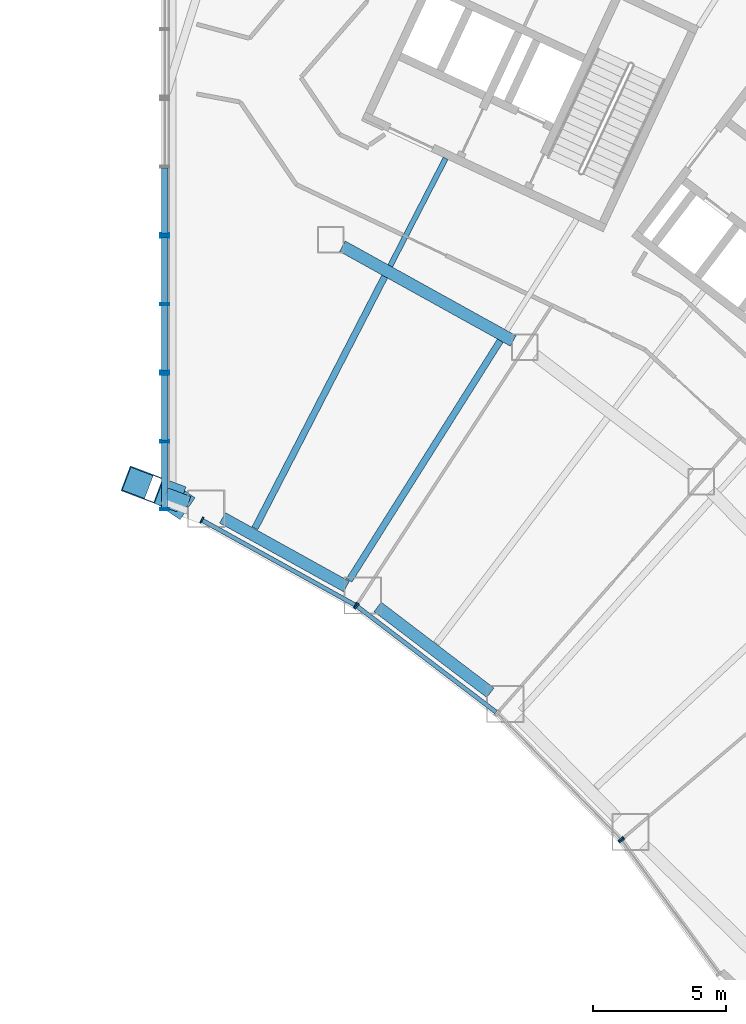
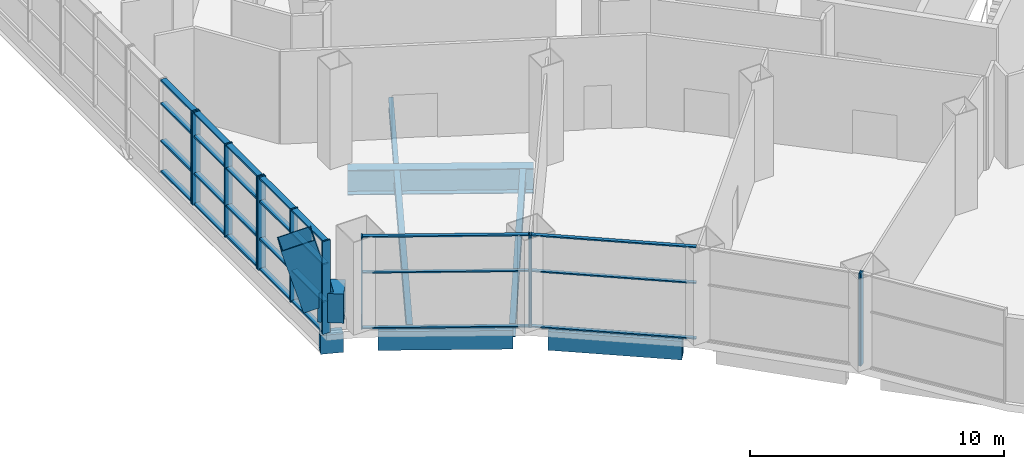
# One storey, part 10 of 26: 38 members, 9 beams, 7 elements without a shape of their own.
"""IFC4 building model written with IfcOpenShell, lengths in metres."""

from ifc_helpers import new_model, si_unit, direction, frame, origin, origin_2d, place, context, subcontext, project, spatial, rectangle, hollow_rectangle, i_section, extrude, material, layer, layer_set, material_profile, profile_set, type_object, element, aggregate, save


model = new_model("IFC4")

# Units and contexts
model_context = context("Model", 3, precision=1e-05, world=origin(), true_north=direction((0.0, 1.0)))
body_context = subcontext(model_context, "Body", "Model", "MODEL_VIEW")
ifc_project = project(units=[si_unit("LENGTHUNIT", "METRE"), si_unit("AREAUNIT", "SQUARE_METRE"), si_unit("VOLUMEUNIT", "CUBIC_METRE"), si_unit("PLANEANGLEUNIT", "RADIAN"), si_unit("MASSUNIT", "GRAM", prefix="KILO")], contexts=[model_context])

# Site, building, storey
site_placement = place(None, origin())
site = spatial("IfcSite", under=ifc_project, at=site_placement, CompositionType="ELEMENT")
building_placement = place(site_placement, origin())
building = spatial("IfcBuilding", under=site, at=building_placement, Name="Tuul Gate Civic Tower", CompositionType="ELEMENT")
storey_placement = place(building_placement, frame((0.0, 0.0, 7.5)))
storey = spatial("IfcBuildingStorey", under=building, at=storey_placement, Name="Level 01", CompositionType="ELEMENT", Elevation=7.5)

# Curtain wall, members
ifc_material_1 = material(Name="Stainless steel", Category="steel")
ifc_layer_1 = layer(ifc_material_1, 0.199951171875)
ifc_layer_set_1 = layer_set([ifc_layer_1], Name="Stainless steel")
curtain_wall_type_1 = type_object("IfcCurtainWallType", Name="Curtain wall CW2", PredefinedType="NOTDEFINED", material=ifc_layer_set_1)
curtain_wall_1_placement = place(storey_placement, origin())
curtain_wall_1 = element("IfcCurtainWall", 1, at=curtain_wall_1_placement, inside=storey, type_object=curtain_wall_type_1, Name="Curtain wall CW2", PredefinedType="NOTDEFINED")
ifc_material_2 = material(Name="Stainless steel", Category="steel")
ifc_material_profile_1 = material_profile(ifc_material_2, hollow_rectangle(XDim=0.35009765625, YDim=0.080078125, WallThickness=0.006103515625, at=origin_2d()), Name="CW2 mullion")
ifc_profile_set_1 = profile_set([ifc_material_profile_1], Name="Stainless steel")
member_type_1 = type_object("IfcMemberType", Name="CW2 mullion", PredefinedType="MULLION", material=ifc_profile_set_1)
member_1_placement = place(storey_placement, frame((18.0, -17.7958984375, 0.0), z_axis=(0.0, 0.0, 1.0), x_axis=(-1.0, 0.0, 0.0)))
member_1 = element("IfcMember", 2, at=member_1_placement, type_object=member_type_1, Name="Mullion", PredefinedType="MULLION", context=body_context, shape_type="SweptSolid", body=[
    extrude(hollow_rectangle(XDim=0.35009765625, YDim=0.080078125, WallThickness=0.006103515625, at=origin_2d()), origin(), (0.0, 0.0, 1.0), 4.449951171875),
])
member_2_placement = place(storey_placement, frame((18.0, -15.25732421875, 0.0), z_axis=(0.0, 0.0, 1.0), x_axis=(-1.0, 0.0, 0.0)))
member_2 = element("IfcMember", 3, at=member_2_placement, type_object=member_type_1, Name="Mullion", PredefinedType="MULLION", context=body_context, shape_type="SweptSolid", body=[
    extrude(hollow_rectangle(XDim=0.35009765625, YDim=0.080078125, WallThickness=0.006103515625, at=origin_2d()), origin(), (0.0, 0.0, 1.0), 4.449951171875),
])
member_3_placement = place(storey_placement, frame((18.0, -12.71875, 0.0), z_axis=(0.0, 0.0, 1.0), x_axis=(-1.0, 0.0, 0.0)))
member_3 = element("IfcMember", 4, at=member_3_placement, type_object=member_type_1, Name="Mullion", PredefinedType="MULLION", context=body_context, shape_type="SweptSolid", body=[
    extrude(hollow_rectangle(XDim=0.35009765625, YDim=0.080078125, WallThickness=0.006103515625, at=origin_2d()), origin(), (0.0, 0.0, 1.0), 4.449951171875),
])

curtain_wall_2_placement = place(storey_placement, origin())
curtain_wall_2 = element("IfcCurtainWall", 5, at=curtain_wall_2_placement, inside=storey, type_object=curtain_wall_type_1, Name="Curtain wall CW2", PredefinedType="NOTDEFINED")
member_4_placement = place(storey_placement, frame((18.0, -12.638671875, 0.0), z_axis=(0.0, 0.0, 1.0), x_axis=(-1.0, 0.0, 0.0)))
member_4 = element("IfcMember", 6, at=member_4_placement, type_object=member_type_1, Name="Mullion", PredefinedType="MULLION", context=body_context, shape_type="SweptSolid", body=[
    extrude(hollow_rectangle(XDim=0.35009765625, YDim=0.080078125, WallThickness=0.006103515625, at=origin_2d()), origin(), (0.0, 0.0, 1.0), 4.449951171875),
])
member_5_placement = place(storey_placement, frame((18.0, -10.10009765625, 0.0), z_axis=(0.0, 0.0, 1.0), x_axis=(-1.0, 0.0, 0.0)))
member_5 = element("IfcMember", 7, at=member_5_placement, type_object=member_type_1, Name="Mullion", PredefinedType="MULLION", context=body_context, shape_type="SweptSolid", body=[
    extrude(hollow_rectangle(XDim=0.35009765625, YDim=0.080078125, WallThickness=0.006103515625, at=origin_2d()), origin(), (0.0, 0.0, 1.0), 4.449951171875),
])
member_6_placement = place(storey_placement, frame((18.0, -7.5615234375, 0.0), z_axis=(0.0, 0.0, 1.0), x_axis=(-1.0, 0.0, 0.0)))
member_6 = element("IfcMember", 8, at=member_6_placement, type_object=member_type_1, Name="Mullion", PredefinedType="MULLION", context=body_context, shape_type="SweptSolid", body=[
    extrude(hollow_rectangle(XDim=0.35009765625, YDim=0.080078125, WallThickness=0.006103515625, at=origin_2d()), origin(), (0.0, 0.0, 1.0), 4.449951171875),
])

# Curtain wall, member
curtain_wall_3_placement = place(storey_placement, origin())
curtain_wall_3 = element("IfcCurtainWall", 9, at=curtain_wall_3_placement, inside=storey, type_object=curtain_wall_type_1, Name="Curtain wall CW2", PredefinedType="NOTDEFINED")
member_7_placement = place(storey_placement, frame((18.0, -7.4814453125, 0.0), z_axis=(0.0, 0.0, 1.0), x_axis=(-1.0, 0.0, 0.0)))
member_7 = element("IfcMember", 10, at=member_7_placement, type_object=member_type_1, Name="Mullion", PredefinedType="MULLION", context=body_context, shape_type="SweptSolid", body=[
    extrude(hollow_rectangle(XDim=0.35009765625, YDim=0.080078125, WallThickness=0.006103515625, at=origin_2d()), origin(), (0.0, 0.0, 1.0), 4.449951171875),
])

# Member
ifc_material_3 = material(Name="Stainless steel", Category="steel")
ifc_material_profile_2 = material_profile(ifc_material_3, hollow_rectangle(XDim=0.25, YDim=0.080078125, WallThickness=0.006103515625, at=origin_2d()), Name="CW2 transom")
ifc_profile_set_2 = profile_set([ifc_material_profile_2], Name="Stainless steel")
member_type_2 = type_object("IfcMemberType", Name="CW2 transom", PredefinedType="USERDEFINED", material=ifc_profile_set_2)
member_8_placement = place(storey_placement, frame((18.0, -17.756103515625, 0.0400390625), z_axis=(0.0, 1.0, 0.0), x_axis=(-1.0, 0.0, 0.0)))
member_8 = element("IfcMember", 11, at=member_8_placement, type_object=member_type_2, Name="Transom", ObjectType="TRANSOM", PredefinedType="USERDEFINED", context=body_context, shape_type="SweptSolid", body=[
    extrude(hollow_rectangle(XDim=0.25, YDim=0.080078125, WallThickness=0.006103515625, at=origin_2d()), origin(), (0.0, 0.0, 1.0), 2.458740234375),
])

member_9_placement = place(storey_placement, frame((18.0, -17.756103515625, 1.5), z_axis=(0.0, 1.0, 0.0), x_axis=(-1.0, 0.0, 0.0)))
member_9 = element("IfcMember", 12, at=member_9_placement, type_object=member_type_2, Name="Transom", ObjectType="TRANSOM", PredefinedType="USERDEFINED", context=body_context, shape_type="SweptSolid", body=[
    extrude(hollow_rectangle(XDim=0.25, YDim=0.080078125, WallThickness=0.006103515625, at=origin_2d()), origin(), (0.0, 0.0, 1.0), 2.458740234375),
])

member_10_placement = place(storey_placement, frame((18.0, -17.756103515625, 3.300048828125), z_axis=(0.0, 1.0, 0.0), x_axis=(-1.0, 0.0, 0.0)))
member_10 = element("IfcMember", 13, at=member_10_placement, type_object=member_type_2, Name="Transom", ObjectType="TRANSOM", PredefinedType="USERDEFINED", context=body_context, shape_type="SweptSolid", body=[
    extrude(hollow_rectangle(XDim=0.25, YDim=0.080078125, WallThickness=0.006103515625, at=origin_2d()), origin(), (0.0, 0.0, 1.0), 2.458740234375),
])

member_11_placement = place(storey_placement, frame((18.0, -17.756103515625, 4.409912109375), z_axis=(0.0, 1.0, 0.0), x_axis=(-1.0, 0.0, 0.0)))
member_11 = element("IfcMember", 14, at=member_11_placement, type_object=member_type_2, Name="Transom", ObjectType="TRANSOM", PredefinedType="USERDEFINED", context=body_context, shape_type="SweptSolid", body=[
    extrude(hollow_rectangle(XDim=0.25, YDim=0.080078125, WallThickness=0.006103515625, at=origin_2d()), origin(), (0.0, 0.0, 1.0), 2.458740234375),
])

member_12_placement = place(storey_placement, frame((18.0, -15.21728515625, 0.0400390625), z_axis=(0.0, 1.0, 0.0), x_axis=(-1.0, 0.0, 0.0)))
member_12 = element("IfcMember", 15, at=member_12_placement, type_object=member_type_2, Name="Transom", ObjectType="TRANSOM", PredefinedType="USERDEFINED", context=body_context, shape_type="SweptSolid", body=[
    extrude(hollow_rectangle(XDim=0.25, YDim=0.080078125, WallThickness=0.006103515625, at=origin_2d()), origin(), (0.0, 0.0, 1.0), 2.45849609375),
])

member_13_placement = place(storey_placement, frame((18.0, -15.21728515625, 1.5), z_axis=(0.0, 1.0, 0.0), x_axis=(-1.0, 0.0, 0.0)))
member_13 = element("IfcMember", 16, at=member_13_placement, type_object=member_type_2, Name="Transom", ObjectType="TRANSOM", PredefinedType="USERDEFINED", context=body_context, shape_type="SweptSolid", body=[
    extrude(hollow_rectangle(XDim=0.25, YDim=0.080078125, WallThickness=0.006103515625, at=origin_2d()), origin(), (0.0, 0.0, 1.0), 2.45849609375),
])

member_14_placement = place(storey_placement, frame((18.0, -15.21728515625, 3.300048828125), z_axis=(0.0, 1.0, 0.0), x_axis=(-1.0, 0.0, 0.0)))
member_14 = element("IfcMember", 17, at=member_14_placement, type_object=member_type_2, Name="Transom", ObjectType="TRANSOM", PredefinedType="USERDEFINED", context=body_context, shape_type="SweptSolid", body=[
    extrude(hollow_rectangle(XDim=0.25, YDim=0.080078125, WallThickness=0.006103515625, at=origin_2d()), origin(), (0.0, 0.0, 1.0), 2.45849609375),
])

member_15_placement = place(storey_placement, frame((18.0, -15.21728515625, 4.409912109375), z_axis=(0.0, 1.0, 0.0), x_axis=(-1.0, 0.0, 0.0)))
member_15 = element("IfcMember", 18, at=member_15_placement, type_object=member_type_2, Name="Transom", ObjectType="TRANSOM", PredefinedType="USERDEFINED", context=body_context, shape_type="SweptSolid", body=[
    extrude(hollow_rectangle(XDim=0.25, YDim=0.080078125, WallThickness=0.006103515625, at=origin_2d()), origin(), (0.0, 0.0, 1.0), 2.45849609375),
])

aggregate(curtain_wall_1, [member_1, member_2, member_3, member_8, member_9, member_10, member_11, member_12, member_13, member_14, member_15])

member_16_placement = place(storey_placement, frame((18.0, -12.5986328125, 0.0400390625), z_axis=(0.0, 1.0, 0.0), x_axis=(-1.0, 0.0, 0.0)))
member_16 = element("IfcMember", 19, at=member_16_placement, type_object=member_type_2, Name="Transom", ObjectType="TRANSOM", PredefinedType="USERDEFINED", context=body_context, shape_type="SweptSolid", body=[
    extrude(hollow_rectangle(XDim=0.25, YDim=0.080078125, WallThickness=0.006103515625, at=origin_2d()), origin(), (0.0, 0.0, 1.0), 2.45849609375),
])

member_17_placement = place(storey_placement, frame((18.0, -12.5986328125, 1.5), z_axis=(0.0, 1.0, 0.0), x_axis=(-1.0, 0.0, 0.0)))
member_17 = element("IfcMember", 20, at=member_17_placement, type_object=member_type_2, Name="Transom", ObjectType="TRANSOM", PredefinedType="USERDEFINED", context=body_context, shape_type="SweptSolid", body=[
    extrude(hollow_rectangle(XDim=0.25, YDim=0.080078125, WallThickness=0.006103515625, at=origin_2d()), origin(), (0.0, 0.0, 1.0), 2.45849609375),
])

member_18_placement = place(storey_placement, frame((18.0, -12.5986328125, 3.300048828125), z_axis=(0.0, 1.0, 0.0), x_axis=(-1.0, 0.0, 0.0)))
member_18 = element("IfcMember", 21, at=member_18_placement, type_object=member_type_2, Name="Transom", ObjectType="TRANSOM", PredefinedType="USERDEFINED", context=body_context, shape_type="SweptSolid", body=[
    extrude(hollow_rectangle(XDim=0.25, YDim=0.080078125, WallThickness=0.006103515625, at=origin_2d()), origin(), (0.0, 0.0, 1.0), 2.45849609375),
])

member_19_placement = place(storey_placement, frame((18.0, -12.5986328125, 4.409912109375), z_axis=(0.0, 1.0, 0.0), x_axis=(-1.0, 0.0, 0.0)))
member_19 = element("IfcMember", 22, at=member_19_placement, type_object=member_type_2, Name="Transom", ObjectType="TRANSOM", PredefinedType="USERDEFINED", context=body_context, shape_type="SweptSolid", body=[
    extrude(hollow_rectangle(XDim=0.25, YDim=0.080078125, WallThickness=0.006103515625, at=origin_2d()), origin(), (0.0, 0.0, 1.0), 2.45849609375),
])

member_20_placement = place(storey_placement, frame((18.0, -10.06005859375, 0.0400390625), z_axis=(0.0, 1.0, 0.0), x_axis=(-1.0, 0.0, 0.0)))
member_20 = element("IfcMember", 23, at=member_20_placement, type_object=member_type_2, Name="Transom", ObjectType="TRANSOM", PredefinedType="USERDEFINED", context=body_context, shape_type="SweptSolid", body=[
    extrude(hollow_rectangle(XDim=0.25, YDim=0.080078125, WallThickness=0.006103515625, at=origin_2d()), origin(), (0.0, 0.0, 1.0), 2.458740234375),
])

member_21_placement = place(storey_placement, frame((18.0, -10.06005859375, 1.5), z_axis=(0.0, 1.0, 0.0), x_axis=(-1.0, 0.0, 0.0)))
member_21 = element("IfcMember", 24, at=member_21_placement, type_object=member_type_2, Name="Transom", ObjectType="TRANSOM", PredefinedType="USERDEFINED", context=body_context, shape_type="SweptSolid", body=[
    extrude(hollow_rectangle(XDim=0.25, YDim=0.080078125, WallThickness=0.006103515625, at=origin_2d()), origin(), (0.0, 0.0, 1.0), 2.458740234375),
])

member_22_placement = place(storey_placement, frame((18.0, -10.06005859375, 3.300048828125), z_axis=(0.0, 1.0, 0.0), x_axis=(-1.0, 0.0, 0.0)))
member_22 = element("IfcMember", 25, at=member_22_placement, type_object=member_type_2, Name="Transom", ObjectType="TRANSOM", PredefinedType="USERDEFINED", context=body_context, shape_type="SweptSolid", body=[
    extrude(hollow_rectangle(XDim=0.25, YDim=0.080078125, WallThickness=0.006103515625, at=origin_2d()), origin(), (0.0, 0.0, 1.0), 2.458740234375),
])

member_23_placement = place(storey_placement, frame((18.0, -10.06005859375, 4.409912109375), z_axis=(0.0, 1.0, 0.0), x_axis=(-1.0, 0.0, 0.0)))
member_23 = element("IfcMember", 26, at=member_23_placement, type_object=member_type_2, Name="Transom", ObjectType="TRANSOM", PredefinedType="USERDEFINED", context=body_context, shape_type="SweptSolid", body=[
    extrude(hollow_rectangle(XDim=0.25, YDim=0.080078125, WallThickness=0.006103515625, at=origin_2d()), origin(), (0.0, 0.0, 1.0), 2.458740234375),
])

aggregate(curtain_wall_2, [member_4, member_5, member_6, member_16, member_17, member_18, member_19, member_20, member_21, member_22, member_23])

member_24_placement = place(storey_placement, frame((18.0, -7.44140625, 0.0400390625), z_axis=(0.0, 1.0, 0.0), x_axis=(-1.0, 0.0, 0.0)))
member_24 = element("IfcMember", 27, at=member_24_placement, type_object=member_type_2, Name="Transom", ObjectType="TRANSOM", PredefinedType="USERDEFINED", context=body_context, shape_type="SweptSolid", body=[
    extrude(hollow_rectangle(XDim=0.25, YDim=0.080078125, WallThickness=0.006103515625, at=origin_2d()), origin(), (0.0, 0.0, 1.0), 2.458740234375),
])

member_25_placement = place(storey_placement, frame((18.0, -7.44140625, 1.5), z_axis=(0.0, 1.0, 0.0), x_axis=(-1.0, 0.0, 0.0)))
member_25 = element("IfcMember", 28, at=member_25_placement, type_object=member_type_2, Name="Transom", ObjectType="TRANSOM", PredefinedType="USERDEFINED", context=body_context, shape_type="SweptSolid", body=[
    extrude(hollow_rectangle(XDim=0.25, YDim=0.080078125, WallThickness=0.006103515625, at=origin_2d()), origin(), (0.0, 0.0, 1.0), 2.458740234375),
])

member_26_placement = place(storey_placement, frame((18.0, -7.44140625, 3.300048828125), z_axis=(0.0, 1.0, 0.0), x_axis=(-1.0, 0.0, 0.0)))
member_26 = element("IfcMember", 29, at=member_26_placement, type_object=member_type_2, Name="Transom", ObjectType="TRANSOM", PredefinedType="USERDEFINED", context=body_context, shape_type="SweptSolid", body=[
    extrude(hollow_rectangle(XDim=0.25, YDim=0.080078125, WallThickness=0.006103515625, at=origin_2d()), origin(), (0.0, 0.0, 1.0), 2.458740234375),
])

member_27_placement = place(storey_placement, frame((18.0, -7.44140625, 4.409912109375), z_axis=(0.0, 1.0, 0.0), x_axis=(-1.0, 0.0, 0.0)))
member_27 = element("IfcMember", 30, at=member_27_placement, type_object=member_type_2, Name="Transom", ObjectType="TRANSOM", PredefinedType="USERDEFINED", context=body_context, shape_type="SweptSolid", body=[
    extrude(hollow_rectangle(XDim=0.25, YDim=0.080078125, WallThickness=0.006103515625, at=origin_2d()), origin(), (0.0, 0.0, 1.0), 2.458740234375),
])

aggregate(curtain_wall_3, [member_7, member_24, member_25, member_26, member_27])

# Curtain wall, members
ifc_material_4 = material(Name="Aluminium", Category="aluminium")
ifc_layer_2 = layer(ifc_material_4, 0.199951171875)
ifc_layer_set_2 = layer_set([ifc_layer_2], Name="Aluminium")
curtain_wall_type_2 = type_object("IfcCurtainWallType", Name="Curtain wall CW6", PredefinedType="NOTDEFINED", material=ifc_layer_set_2)
curtain_wall_4_placement = place(storey_placement, origin())
curtain_wall_4 = element("IfcCurtainWall", 31, at=curtain_wall_4_placement, inside=storey, type_object=curtain_wall_type_2, Name="Curtain wall CW6", PredefinedType="NOTDEFINED")
ifc_material_5 = material(Name="Aluminium", Category="aluminium")
ifc_material_profile_3 = material_profile(ifc_material_5, rectangle(XDim=0.239990234375, YDim=0.06005859375, at=origin_2d()), Name="CW6 mullion")
ifc_profile_set_3 = profile_set([ifc_material_profile_3], Name="Aluminium")
member_type_3 = type_object("IfcMemberType", Name="CW6 mullion", PredefinedType="MULLION", material=ifc_profile_set_3)
member_28_placement = place(storey_placement, frame((19.394287109375, -18.20751953125, 0.0), z_axis=(0.0, 0.0, 1.0), x_axis=(0.484724404523, 0.87466693756, 0.0)))
member_28 = element("IfcMember", 32, at=member_28_placement, type_object=member_type_3, Name="Mullion", PredefinedType="MULLION", context=body_context, shape_type="SweptSolid", body=[
    extrude(rectangle(XDim=0.239990234375, YDim=0.06005859375, at=origin_2d()), origin(), (0.0, 0.0, 1.0), 4.449951171875),
])
member_29_placement = place(storey_placement, frame((25.164794921875, -21.405517578125, 0.0), z_axis=(0.0, 0.0, 1.0), x_axis=(0.484724404523, 0.87466693756, 0.0)))
member_29 = element("IfcMember", 33, at=member_29_placement, type_object=member_type_3, Name="Mullion", PredefinedType="MULLION", context=body_context, shape_type="SweptSolid", body=[
    extrude(rectangle(XDim=0.239990234375, YDim=0.06005859375, at=origin_2d()), origin(), (0.0, 0.0, 1.0), 4.449951171875),
])

# Curtain wall, member
curtain_wall_5_placement = place(storey_placement, origin())
curtain_wall_5 = element("IfcCurtainWall", 34, at=curtain_wall_5_placement, inside=storey, type_object=curtain_wall_type_2, Name="Curtain wall CW6", PredefinedType="NOTDEFINED")
member_30_placement = place(storey_placement, frame((25.21484375, -21.438232421875, 0.0), z_axis=(0.0, 0.0, 1.0), x_axis=(0.605776174218, 0.795635109048, 0.0)))
member_30 = element("IfcMember", 35, at=member_30_placement, type_object=member_type_3, Name="Mullion", PredefinedType="MULLION", context=body_context, shape_type="SweptSolid", body=[
    extrude(rectangle(XDim=0.239990234375, YDim=0.06005859375, at=origin_2d()), origin(), (0.0, 0.0, 1.0), 4.449951171875),
])

curtain_wall_6_placement = place(storey_placement, origin())
curtain_wall_6 = element("IfcCurtainWall", 36, at=curtain_wall_6_placement, inside=storey, type_object=curtain_wall_type_2, Name="Curtain wall CW6", PredefinedType="NOTDEFINED")
member_31_placement = place(storey_placement, frame((35.126953125, -30.185546875, 0.0), z_axis=(0.0, 0.0, 1.0), x_axis=(0.714131733701, 0.700011333423, 0.0)))
member_31 = element("IfcMember", 37, at=member_31_placement, type_object=member_type_3, Name="Mullion", PredefinedType="MULLION", context=body_context, shape_type="SweptSolid", body=[
    extrude(rectangle(XDim=0.239990234375, YDim=0.06005859375, at=origin_2d()), origin(), (0.0, 0.0, 1.0), 4.449951171875),
])
aggregate(curtain_wall_6, [member_31])

curtain_wall_7_placement = place(storey_placement, origin())
curtain_wall_7 = element("IfcCurtainWall", 38, at=curtain_wall_7_placement, inside=storey, type_object=curtain_wall_type_2, Name="Curtain wall CW6", PredefinedType="NOTDEFINED")
member_32_placement = place(storey_placement, frame((35.165771484375, -30.231201171875, 0.0), z_axis=(0.0, 0.0, 1.0), x_axis=(0.807581267597, 0.589756302404, 0.0)))
member_32 = element("IfcMember", 39, at=member_32_placement, type_object=member_type_3, Name="Mullion", PredefinedType="MULLION", context=body_context, shape_type="SweptSolid", body=[
    extrude(rectangle(XDim=0.239990234375, YDim=0.06005859375, at=origin_2d()), origin(), (0.0, 0.0, 1.0), 4.449951171875),
])
aggregate(curtain_wall_7, [member_32])

# Member
ifc_material_6 = material(Name="Aluminium", Category="aluminium")
ifc_material_profile_4 = material_profile(ifc_material_6, rectangle(XDim=0.159912109375, YDim=0.06005859375, at=origin_2d()), Name="CW6 transom")
ifc_profile_set_4 = profile_set([ifc_material_profile_4], Name="Aluminium")
member_type_4 = type_object("IfcMemberType", Name="CW6 transom", PredefinedType="USERDEFINED", material=ifc_profile_set_4)
member_33_placement = place(storey_placement, frame((19.42041015625, -18.22216796875, 0.030029296875), z_axis=(0.874674687006, -0.484710420676, 0.0), x_axis=(0.484710420676, 0.874674687006, 0.0)))
member_33 = element("IfcMember", 40, at=member_33_placement, type_object=member_type_4, Name="Transom", ObjectType="TRANSOM", PredefinedType="USERDEFINED", context=body_context, shape_type="SweptSolid", body=[
    extrude(rectangle(XDim=0.159912109375, YDim=0.06005859375, at=origin_2d()), origin(), (0.0, 0.0, 1.0), 6.537353515625),
])

member_34_placement = place(storey_placement, frame((19.42041015625, -18.22216796875, 2.699951171875), z_axis=(0.874674687006, -0.484710420676, 0.0), x_axis=(0.484710420676, 0.874674687006, 0.0)))
member_34 = element("IfcMember", 41, at=member_34_placement, type_object=member_type_4, Name="Transom", ObjectType="TRANSOM", PredefinedType="USERDEFINED", context=body_context, shape_type="SweptSolid", body=[
    extrude(rectangle(XDim=0.159912109375, YDim=0.06005859375, at=origin_2d()), origin(), (0.0, 0.0, 1.0), 6.537353515625),
])

member_35_placement = place(storey_placement, frame((19.42041015625, -18.22216796875, 4.419921875), z_axis=(0.874674687006, -0.484710420676, 0.0), x_axis=(0.484710420676, 0.874674687006, 0.0)))
member_35 = element("IfcMember", 42, at=member_35_placement, type_object=member_type_4, Name="Transom", ObjectType="TRANSOM", PredefinedType="USERDEFINED", context=body_context, shape_type="SweptSolid", body=[
    extrude(rectangle(XDim=0.159912109375, YDim=0.06005859375, at=origin_2d()), origin(), (0.0, 0.0, 1.0), 6.537353515625),
])

aggregate(curtain_wall_4, [member_28, member_29, member_33, member_34, member_35])

member_36_placement = place(storey_placement, frame((25.23876953125, -21.456298828125, 0.030029296875), z_axis=(0.79561856404, -0.605797904053, 0.0), x_axis=(0.605797904053, 0.79561856404, 0.0)))
member_36 = element("IfcMember", 43, at=member_36_placement, type_object=member_type_4, Name="Transom", ObjectType="TRANSOM", PredefinedType="USERDEFINED", context=body_context, shape_type="SweptSolid", body=[
    extrude(rectangle(XDim=0.159912109375, YDim=0.06005859375, at=origin_2d()), origin(), (0.0, 0.0, 1.0), 6.53759765625),
])

member_37_placement = place(storey_placement, frame((25.23876953125, -21.456298828125, 2.699951171875), z_axis=(0.79561856404, -0.605797904053, 0.0), x_axis=(0.605797904053, 0.79561856404, 0.0)))
member_37 = element("IfcMember", 44, at=member_37_placement, type_object=member_type_4, Name="Transom", ObjectType="TRANSOM", PredefinedType="USERDEFINED", context=body_context, shape_type="SweptSolid", body=[
    extrude(rectangle(XDim=0.159912109375, YDim=0.06005859375, at=origin_2d()), origin(), (0.0, 0.0, 1.0), 6.53759765625),
])

member_38_placement = place(storey_placement, frame((25.23876953125, -21.456298828125, 4.419921875), z_axis=(0.79561856404, -0.605797904053, 0.0), x_axis=(0.605797904053, 0.79561856404, 0.0)))
member_38 = element("IfcMember", 45, at=member_38_placement, type_object=member_type_4, Name="Transom", ObjectType="TRANSOM", PredefinedType="USERDEFINED", context=body_context, shape_type="SweptSolid", body=[
    extrude(rectangle(XDim=0.159912109375, YDim=0.06005859375, at=origin_2d()), origin(), (0.0, 0.0, 1.0), 6.53759765625),
])

aggregate(curtain_wall_5, [member_30, member_36, member_37, member_38])

# Beams
ifc_material_7 = material(Name="Steel S460", Category="steel")
ifc_material_profile_5 = material_profile(ifc_material_7, hollow_rectangle(XDim=1.0, YDim=1.39990234375, WallThickness=0.0400390625, at=origin_2d()), Name="BOX1400x1000x40")
ifc_profile_set_5 = profile_set([ifc_material_profile_5], Name="Steel S460")
beam_type_1 = type_object("IfcBeamType", Name="STR-ARCH TRUSS CHORD-BOX1400x1000x40", PredefinedType="BEAM", material=ifc_profile_set_5)
beam_1_placement = place(storey_placement, frame((18.85791015625, -17.782958984375, 1.199951171875), z_axis=(-0.824466130769, 0.565911299777, 0.0), x_axis=(-0.565911299777, -0.824466130769, 0.0)))
element("IfcBeam", 46, at=beam_1_placement, inside=storey, type_object=beam_type_1, Name="Arch rib", PredefinedType="BEAM", context=body_context, shape_type="SweptSolid", body=[
    extrude(hollow_rectangle(XDim=1.0, YDim=1.39990234375, WallThickness=0.0400390625, at=origin_2d()), origin(), (0.0, 0.0, 1.0), 1.04052734375),
])
beam_2_placement = place(storey_placement, frame((17.158935546875, -16.876220703125, 4.260986328125), z_axis=(0.263627196254, -0.099635010021, -0.959465250112), x_axis=(0.35353257544, 0.935422213817, 0.0)))
element("IfcBeam", 47, at=beam_2_placement, inside=storey, type_object=beam_type_1, Name="Arch rib", PredefinedType="BEAM", context=body_context, shape_type="SweptSolid", body=[
    extrude(hollow_rectangle(XDim=1.0, YDim=1.39990234375, WallThickness=0.0400390625, at=origin_2d()), origin(), (0.0, 0.0, 1.0), 3.1904296875),
])
ifc_material_8 = material(Name="Steel S355", Category="steel")
ifc_material_profile_6 = material_profile(ifc_material_8, i_section(OverallWidth=0.199951171875, OverallDepth=0.5, WebThickness=0.010009765625, FlangeThickness=0.01611328125, at=origin_2d()), Name="PG500x200x10x16")
ifc_profile_set_6 = profile_set([ifc_material_profile_6], Name="Steel S355")
beam_type_2 = type_object("IfcBeamType", Name="STR-FLOOR BEAM-PG500x200x10x16", PredefinedType="BEAM", material=ifc_profile_set_6)
beam_3_placement = place(storey_placement, frame((26.468017578125, -8.6650390625, -0.60009765625), z_axis=(0.458251317749, 0.88882266498, 0.0), x_axis=(-0.88882266498, 0.458251317749, 0.0)))
element("IfcBeam", 48, at=beam_3_placement, inside=storey, type_object=beam_type_2, Name="Floor beam", PredefinedType="BEAM", context=body_context, shape_type="SweptSolid", body=[
    extrude(i_section(OverallWidth=0.199951171875, OverallDepth=0.5, WebThickness=0.010009765625, FlangeThickness=0.01611328125, at=origin_2d()), origin(), (0.0, 0.0, 1.0), 4.54248046875),
])
ifc_material_9 = material(Name="Steel S355", Category="steel")
ifc_material_profile_7 = material_profile(ifc_material_9, i_section(OverallWidth=0.25, OverallDepth=0.64990234375, WebThickness=0.011962890625, FlangeThickness=0.02001953125, at=origin_2d()), Name="PG650x250x12x20")
ifc_profile_set_7 = profile_set([ifc_material_profile_7], Name="Steel S355")
beam_type_3 = type_object("IfcBeamType", Name="STR-FLOOR BEAM-PG650x250x12x20", PredefinedType="BEAM", material=ifc_profile_set_7)
beam_4_placement = place(storey_placement, frame((24.9248046875, -20.47265625, -0.675048828125), z_axis=(0.533386929433, 0.845871375275, 0.0), x_axis=(-0.845871375275, 0.533386929433, 0.0)))
element("IfcBeam", 49, at=beam_4_placement, inside=storey, type_object=beam_type_3, Name="Floor beam", PredefinedType="BEAM", context=body_context, shape_type="SweptSolid", body=[
    extrude(i_section(OverallWidth=0.25, OverallDepth=0.64990234375, WebThickness=0.011962890625, FlangeThickness=0.02001953125, at=origin_2d()), origin(), (0.0, 0.0, 1.0), 10.641845703125),
])
beam_5_placement = place(storey_placement, frame((21.390380859375, -18.512939453125, -0.675048828125), z_axis=(0.45825908174, 0.888818662047, 0.0), x_axis=(-0.888818662047, 0.45825908174, 0.0)))
element("IfcBeam", 50, at=beam_5_placement, inside=storey, type_object=beam_type_3, Name="Floor beam", PredefinedType="BEAM", context=body_context, shape_type="SweptSolid", body=[
    extrude(i_section(OverallWidth=0.25, OverallDepth=0.64990234375, WebThickness=0.011962890625, FlangeThickness=0.02001953125, at=origin_2d()), origin(), (0.0, 0.0, 1.0), 10.629638671875),
])
ifc_material_10 = material(Name="Steel S355", Category="steel")
ifc_material_profile_8 = material_profile(ifc_material_10, i_section(OverallWidth=0.449951171875, OverallDepth=1.199951171875, WebThickness=0.02001953125, FlangeThickness=0.0400390625, at=origin_2d()), Name="PG1200x450x20x40")
ifc_profile_set_8 = profile_set([ifc_material_profile_8], Name="Steel S355")
beam_type_4 = type_object("IfcBeamType", Name="STR-RING BEAM-PG1200x450x20x40", PredefinedType="BEAM", material=ifc_profile_set_8)
beam_6_placement = place(storey_placement, frame((24.67333984375, -7.927490234375, -0.949951171875), z_axis=(0.874595196089, -0.484853836717, 0.0), x_axis=(0.484853836717, 0.874595196089, 0.0)))
element("IfcBeam", 51, at=beam_6_placement, inside=storey, type_object=beam_type_4, Name="Ring girder", PredefinedType="BEAM", context=body_context, shape_type="SweptSolid", body=[
    extrude(i_section(OverallWidth=0.449951171875, OverallDepth=1.199951171875, WebThickness=0.02001953125, FlangeThickness=0.0400390625, at=origin_2d()), origin(), (0.0, 0.0, 1.0), 7.3310546875),
])
ifc_material_11 = material(Name="Steel S355", Category="steel")
ifc_material_profile_9 = material_profile(ifc_material_11, hollow_rectangle(XDim=0.449951171875, YDim=0.89990234375, WallThickness=0.02490234375, at=origin_2d()), Name="BOX900x450x25")
ifc_profile_set_9 = profile_set([ifc_material_profile_9], Name="Steel S355")
beam_type_5 = type_object("IfcBeamType", Name="STR-SPANDREL BEAM-BOX900x450x25", PredefinedType="BEAM", material=ifc_profile_set_9)
beam_7_placement = place(storey_placement, frame((18.050048828125, -17.212890625, -0.800048828125), z_axis=(0.935413092715, -0.353556708291, 0.0), x_axis=(0.353556708291, 0.935413092715, 0.0)))
element("IfcBeam", 52, at=beam_7_placement, inside=storey, type_object=beam_type_5, Name="Spandrel beam", PredefinedType="BEAM", context=body_context, shape_type="SweptSolid", body=[
    extrude(hollow_rectangle(XDim=0.449951171875, YDim=0.89990234375, WallThickness=0.02490234375, at=origin_2d()), origin(), (0.0, 0.0, 1.0), 0.912109375),
])
beam_8_placement = place(storey_placement, frame((20.170166015625, -18.122314453125, -0.800048828125), z_axis=(0.87456368019, -0.484910681769, 0.0), x_axis=(0.484910681769, 0.87456368019, 0.0)))
element("IfcBeam", 53, at=beam_8_placement, inside=storey, type_object=beam_type_5, Name="Spandrel beam", PredefinedType="BEAM", context=body_context, shape_type="SweptSolid", body=[
    extrude(hollow_rectangle(XDim=0.449951171875, YDim=0.89990234375, WallThickness=0.02490234375, at=origin_2d()), origin(), (0.0, 0.0, 1.0), 5.3232421875),
])
beam_9_placement = place(storey_placement, frame((25.994873046875, -21.467041015625, -0.800048828125), z_axis=(0.795624397763, -0.605790242315, 0.0), x_axis=(0.605790242315, 0.795624397763, 0.0)))
element("IfcBeam", 54, at=beam_9_placement, inside=storey, type_object=beam_type_5, Name="Spandrel beam", PredefinedType="BEAM", context=body_context, shape_type="SweptSolid", body=[
    extrude(hollow_rectangle(XDim=0.449951171875, YDim=0.89990234375, WallThickness=0.02490234375, at=origin_2d()), origin(), (0.0, 0.0, 1.0), 5.32177734375),
])

save(model, "model.ifc")
